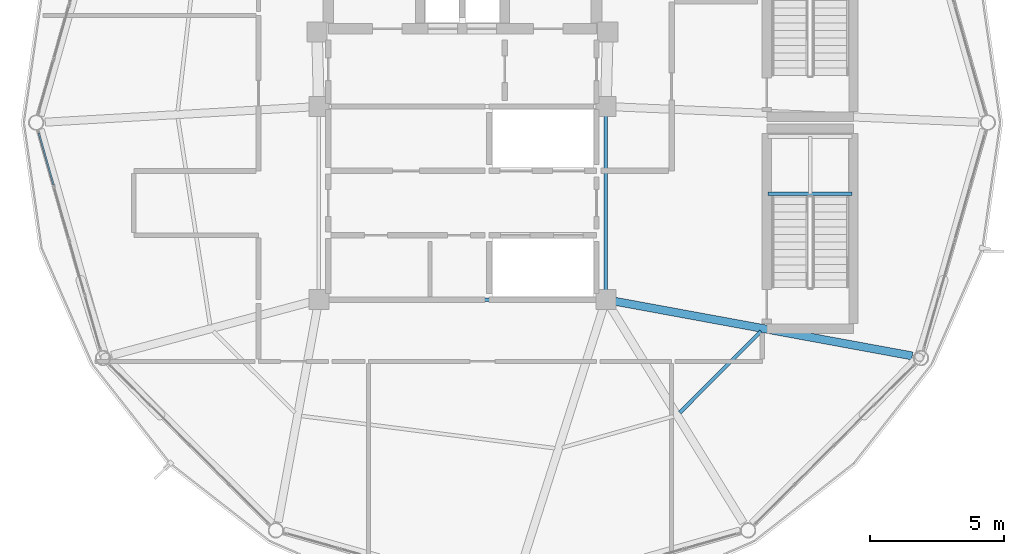
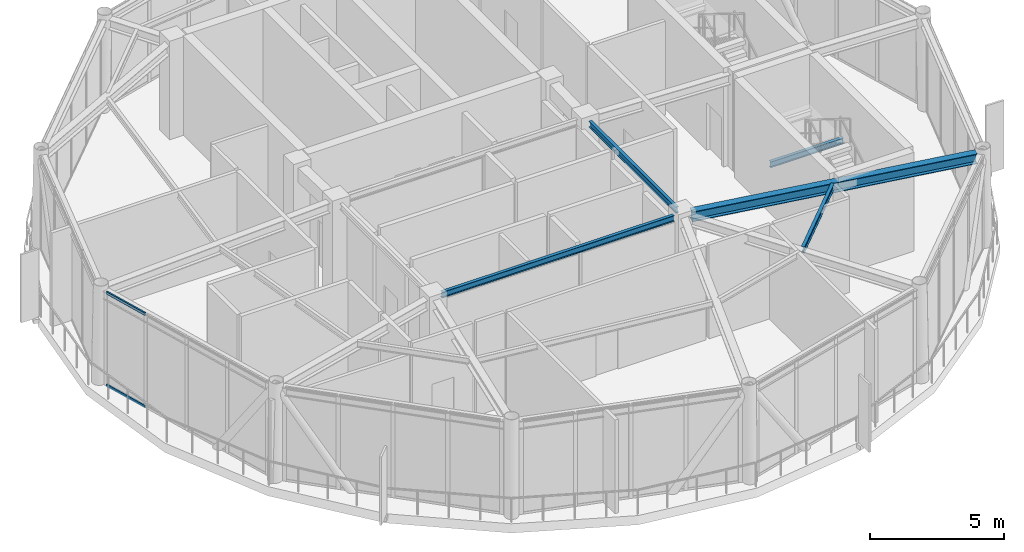
# One storey, part 10 of 26: 5 beams, 2 members, 1 element without a shape of its own.
"""IFC4 building model written with IfcOpenShell, lengths in metres."""

from ifc_helpers import new_model, si_unit, direction, frame, origin, origin_2d, place, context, subcontext, project, spatial, hollow_rectangle, i_section, extrude, material, layer, layer_set, material_profile, profile_set, type_object, element, aggregate, save


model = new_model("IFC4")

# Units and contexts
model_context = context("Model", 3, precision=1e-05, world=origin(), true_north=direction((0.0, 1.0)))
body_context = subcontext(model_context, "Body", "Model", "MODEL_VIEW")
ifc_project = project(units=[si_unit("LENGTHUNIT", "METRE"), si_unit("AREAUNIT", "SQUARE_METRE"), si_unit("VOLUMEUNIT", "CUBIC_METRE"), si_unit("PLANEANGLEUNIT", "RADIAN"), si_unit("MASSUNIT", "GRAM", prefix="KILO")], contexts=[model_context])

# Site, building, storey
site_placement = place(None, origin())
site = spatial("IfcSite", under=ifc_project, at=site_placement, CompositionType="ELEMENT")
building_placement = place(site_placement, origin())
building = spatial("IfcBuilding", under=site, at=building_placement, Name="Varnakorn Sky Granary", CompositionType="ELEMENT")
storey_placement = place(building_placement, frame((0.0, 0.0, 289.5)))
storey = spatial("IfcBuildingStorey", under=building, at=storey_placement, Name="L74", CompositionType="ELEMENT", Elevation=289.5)

# Beams
ifc_material_1 = material(Name="Steel S355JR", Category="steel")
ifc_material_profile_1 = material_profile(ifc_material_1, i_section(OverallWidth=0.135009765625, OverallDepth=0.27001953125, WebThickness=0.006591796875, FlangeThickness=0.01025390625, at=origin_2d()), Name="IPE 270")
ifc_profile_set_1 = profile_set([ifc_material_profile_1], Name="Steel S355JR")
beam_type_1 = type_object("IfcBeamType", Name="BM-LND-270", PredefinedType="BEAM", material=ifc_profile_set_1)
beam_1_placement = place(storey_placement, frame((14.39990234375, -2.659912109375, 1.9150390625), z_axis=(1.0, 0.0, 0.0), x_axis=(0.0, 1.0, 0.0)))
element("IfcBeam", 1, at=beam_1_placement, inside=storey, type_object=beam_type_1, Name="Stair ST-C2 Landing Trimmer Beam A L74-1", PredefinedType="BEAM", context=body_context, shape_type="SweptSolid", body=[
    extrude(i_section(OverallWidth=0.135009765625, OverallDepth=0.27001953125, WebThickness=0.006591796875, FlangeThickness=0.01025390625, at=origin_2d()), origin(), (0.0, 0.0, 1.0), 3.130126953125),
])
ifc_material_profile_2 = material_profile(ifc_material_1, i_section(OverallWidth=0.300048828125, OverallDepth=0.449951171875, WebThickness=0.013916015625, FlangeThickness=0.02587890625, at=origin_2d()), Name="HE 450 B")
ifc_profile_set_2 = profile_set([ifc_material_profile_2], Name="Steel S355JR")
beam_type_2 = type_object("IfcBeamType", Name="BM-RAD-Z5", PredefinedType="BEAM", material=ifc_profile_set_2)
beam_2_placement = place(storey_placement, frame((8.69921875, -6.664306640625, 4.034912109375), z_axis=(0.983524902395, -0.180772692543, 0.0), x_axis=(0.180772692543, 0.983524902395, 0.0)))
element("IfcBeam", 2, at=beam_2_placement, inside=storey, type_object=beam_type_2, Name="Radial Floor Girder RG12 L74", PredefinedType="BEAM", context=body_context, shape_type="SweptSolid", body=[
    extrude(i_section(OverallWidth=0.300048828125, OverallDepth=0.449951171875, WebThickness=0.013916015625, FlangeThickness=0.02587890625, at=origin_2d()), origin(), (0.0, 0.0, 1.0), 11.2568359375),
])
ifc_material_profile_3 = material_profile(ifc_material_1, i_section(OverallWidth=0.135009765625, OverallDepth=0.27001953125, WebThickness=0.006591796875, FlangeThickness=0.01025390625, at=origin_2d()), Name="IPE 270")
ifc_profile_set_3 = profile_set([ifc_material_profile_3], Name="Steel S355JR")
beam_type_3 = type_object("IfcBeamType", Name="BM-SEC-Z5", PredefinedType="BEAM", material=ifc_profile_set_3)
beam_3_placement = place(storey_placement, frame((11.10498046875, -10.814697265625, 4.125), z_axis=(0.706765128751, 0.707448268626, 0.0), x_axis=(-0.707448268626, 0.706765128751, 0.0)))
element("IfcBeam", 3, at=beam_3_placement, inside=storey, type_object=beam_type_3, Name="Secondary Floor Chord Beam MSB11 L74", PredefinedType="BEAM", context=body_context, shape_type="SweptSolid", body=[
    extrude(i_section(OverallWidth=0.135009765625, OverallDepth=0.27001953125, WebThickness=0.006591796875, FlangeThickness=0.01025390625, at=origin_2d()), origin(), (0.0, 0.0, 1.0), 4.28857421875),
])
beam_4_placement = place(storey_placement, frame((8.35009765625, 0.2451171875, 4.125), z_axis=(0.0, -1.0, 0.0), x_axis=(1.0, 0.0, 0.0)))
element("IfcBeam", 4, at=beam_4_placement, inside=storey, type_object=beam_type_3, Name="Core Spine Framing Beam 4 L74", PredefinedType="BEAM", context=body_context, shape_type="SweptSolid", body=[
    extrude(i_section(OverallWidth=0.135009765625, OverallDepth=0.27001953125, WebThickness=0.006591796875, FlangeThickness=0.01025390625, at=origin_2d()), origin(), (0.0, 0.0, 1.0), 6.490234375),
])
beam_5_placement = place(storey_placement, frame((-1.9951171875, -6.60009765625, 4.125), z_axis=(1.0, 0.0, 0.0), x_axis=(0.0, 1.0, 0.0)))
element("IfcBeam", 5, at=beam_5_placement, inside=storey, type_object=beam_type_3, Name="Core Spine Framing Beam 6 L74", PredefinedType="BEAM", context=body_context, shape_type="SweptSolid", body=[
    extrude(i_section(OverallWidth=0.135009765625, OverallDepth=0.27001953125, WebThickness=0.006591796875, FlangeThickness=0.01025390625, at=origin_2d()), origin(), (0.0, 0.0, 1.0), 9.990234375),
])

# Curtain wall, members
ifc_material_2 = material(Name="Anodised Bronze Aluminium Alloy 6063-T6", Category="aluminium")
ifc_layer = layer(ifc_material_2, 0.159912109375, Name="Anodised Bronze Aluminium Alloy 6063-T6")
ifc_layer_set = layer_set([ifc_layer], Name="Anodised Bronze Aluminium Alloy 6063-T6")
curtain_wall_type = type_object("IfcCurtainWallType", Name="CW-OFF-1", PredefinedType="USERDEFINED", material=ifc_layer_set)
curtain_wall_placement = place(storey_placement, origin())
curtain_wall = element("IfcCurtainWall", 6, at=curtain_wall_placement, inside=storey, type_object=curtain_wall_type, Name="Unitised Curtain Wall CW6 CW-L74-B07", ObjectType="CURTAIN WALL", PredefinedType="USERDEFINED")
ifc_material_profile_4 = material_profile(ifc_material_2, hollow_rectangle(XDim=0.06494140625, YDim=0.1201171875, WallThickness=0.00341796875, at=origin_2d()), Name="ALU TRAN 65x120")
ifc_profile_set_4 = profile_set([ifc_material_profile_4], Name="Anodised Bronze Aluminium Alloy 6063-T6")
member_type = type_object("IfcMemberType", Name="CW-OFF-1-TRAN", PredefinedType="USERDEFINED", material=ifc_profile_set_4)
member_1_placement = place(storey_placement, frame((-12.23876953125, -2.32763671875, 0.032470703125), z_axis=(-0.273312758761, 0.961925223652, 0.0), x_axis=(-0.961925223652, -0.273312758761, 0.0)))
member_1 = element("IfcMember", 7, at=member_1_placement, type_object=member_type, Name="CW6 transom 4.1", ObjectType="TRANSOM", PredefinedType="USERDEFINED", context=body_context, shape_type="SweptSolid", body=[
    extrude(hollow_rectangle(XDim=0.06494140625, YDim=0.1201171875, WallThickness=0.00341796875, at=origin_2d()), origin(), (0.0, 0.0, 1.0), 2.01513671875),
])
member_2_placement = place(storey_placement, frame((-12.23876953125, -2.32763671875, 4.2275390625), z_axis=(-0.273312758761, 0.961925223652, 0.0), x_axis=(-0.961925223652, -0.273312758761, 0.0)))
member_2 = element("IfcMember", 8, at=member_2_placement, type_object=member_type, Name="CW6 transom 4.2", ObjectType="TRANSOM", PredefinedType="USERDEFINED", context=body_context, shape_type="SweptSolid", body=[
    extrude(hollow_rectangle(XDim=0.06494140625, YDim=0.1201171875, WallThickness=0.00341796875, at=origin_2d()), origin(), (0.0, 0.0, 1.0), 2.01513671875),
])
aggregate(curtain_wall, [member_1, member_2])

save(model, "model.ifc")
